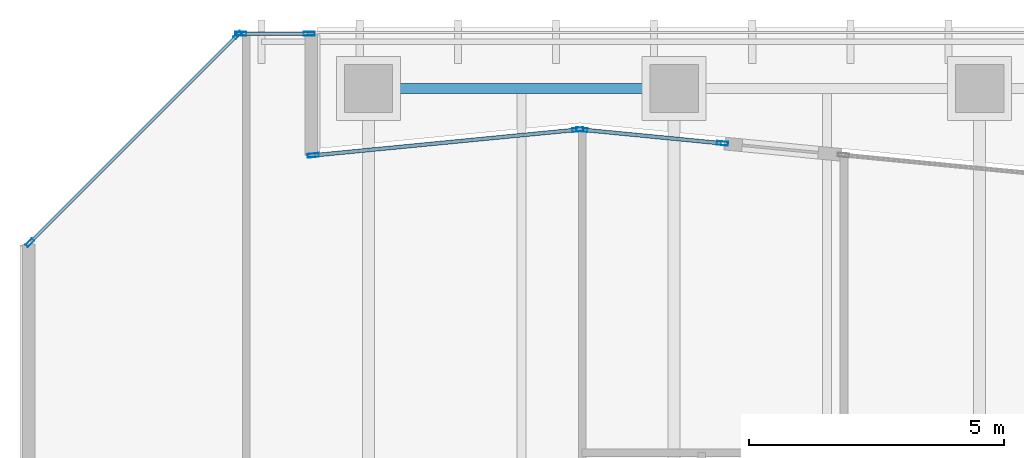
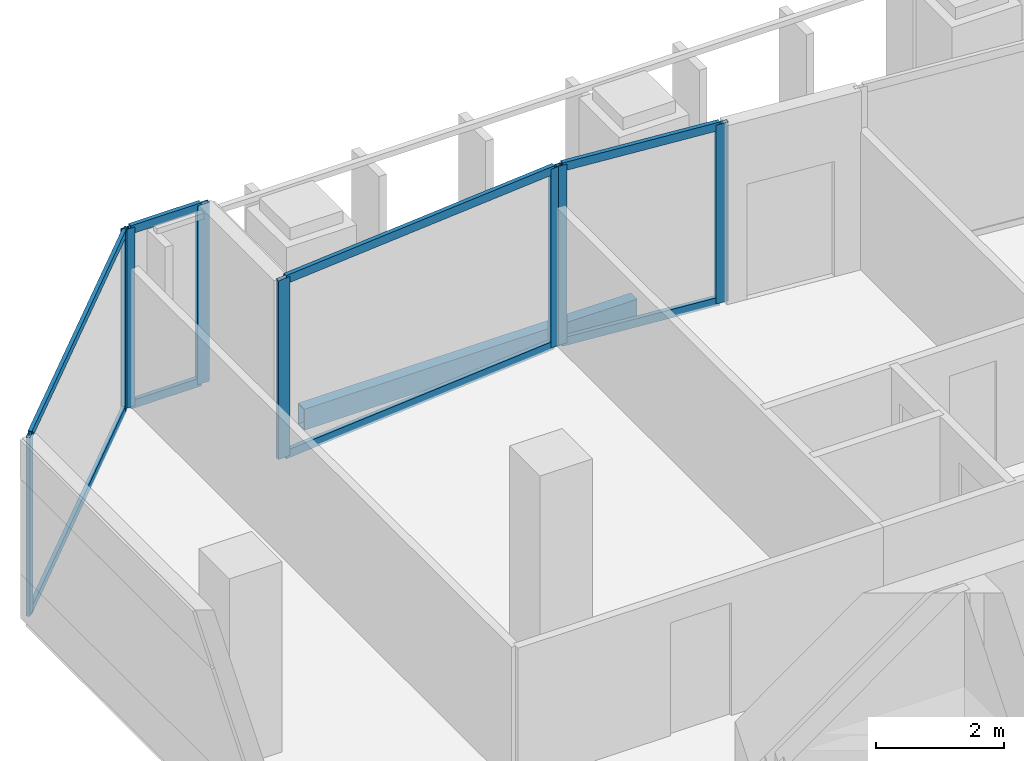
# One storey, part 11 of 39: 16 members, 1 beam, 4 elements without a shape of their own.
"""IFC4 building model written with IfcOpenShell, lengths in metres."""

from ifc_helpers import new_model, si_unit, direction, frame, origin, origin_2d, place, context, subcontext, project, spatial, hollow_rectangle, extrude, material, layer, layer_set, material_profile, profile_set, type_object, element, aggregate, save


model = new_model("IFC4")

# Units and contexts
model_context = context("Model", 3, precision=1e-05, world=origin(), true_north=direction((0.0, 1.0)))
body_context = subcontext(model_context, "Body", "Model", "MODEL_VIEW")
ifc_project = project(units=[si_unit("LENGTHUNIT", "METRE"), si_unit("AREAUNIT", "SQUARE_METRE"), si_unit("VOLUMEUNIT", "CUBIC_METRE"), si_unit("PLANEANGLEUNIT", "RADIAN"), si_unit("MASSUNIT", "GRAM", prefix="KILO")], contexts=[model_context])

# Site, building, storey
site_placement = place(None, origin())
site = spatial("IfcSite", under=ifc_project, at=site_placement, CompositionType="ELEMENT")
building_placement = place(site_placement, origin())
building = spatial("IfcBuilding", under=site, at=building_placement, Name="Tanjung Sevakor Pilgrim Tower", CompositionType="ELEMENT")
storey_placement = place(building_placement, frame((0.0, 0.0, 108.570068359375)))
storey = spatial("IfcBuildingStorey", under=building, at=storey_placement, Name="L30", CompositionType="ELEMENT", Elevation=108.570068359375)

# Beam
ifc_material_1 = material(Name="Steel S355J2", Category="steel")
ifc_material_profile_1 = material_profile(ifc_material_1, hollow_rectangle(XDim=0.199951171875, YDim=0.39990234375, WallThickness=0.01611328125, at=origin_2d()))
ifc_profile_set_1 = profile_set([ifc_material_profile_1], Name="Steel S355J2")
beam_type = type_object("IfcBeamType", Name="BM-B-SP2-RHS_400x200x16", PredefinedType="SPANDREL", material=ifc_profile_set_1)
beam_placement = place(storey_placement, frame((24.0, 56.39990234375, -0.420166015625), z_axis=(1.0, 0.0, 0.0), x_axis=(0.0, 1.0, 0.0)))
element("IfcBeam", 1, at=beam_placement, inside=storey, type_object=beam_type, Name="L30 Spandrel MAIN N-02", PredefinedType="SPANDREL", context=body_context, shape_type="SweptSolid", body=[
    extrude(hollow_rectangle(XDim=0.199951171875, YDim=0.39990234375, WallThickness=0.01611328125, at=origin_2d()), origin(), (0.0, 0.0, 1.0), 6.0),
])

# Curtain wall, members
ifc_material_2 = material(Name="Aluminium 6063-T6 and Low-E Glass", Category="aluminium")
ifc_layer_1 = layer(ifc_material_2, 0.179931640625)
ifc_layer_set_1 = layer_set([ifc_layer_1], Name="CW-SYS-CHAM")
curtain_wall_type_1 = type_object("IfcCurtainWallType", Name="CW-SYS-CHAM", PredefinedType="NOTDEFINED", material=ifc_layer_set_1)
curtain_wall_1_placement = place(storey_placement, origin())
curtain_wall_1 = element("IfcCurtainWall", 2, at=curtain_wall_1_placement, inside=storey, type_object=curtain_wall_type_1, Name="L30 Curtain Wall CW-CHM-L30-MAIN-33", PredefinedType="NOTDEFINED")
ifc_material_3 = material(Name="Aluminium 6063-T6", Category="aluminium")
ifc_material_profile_2 = material_profile(ifc_material_3, hollow_rectangle(XDim=0.06494140625, YDim=0.179931640625, WallThickness=0.00390625, at=origin_2d()))
ifc_profile_set_2 = profile_set([ifc_material_profile_2], Name="Aluminium 6063-T6")
member_type_1 = type_object("IfcMemberType", Name="TYPE-CWM-1", PredefinedType="MULLION", material=ifc_profile_set_2)
member_1_placement = place(storey_placement, frame((21.4287109375, 57.451904296875, 0.0), z_axis=(0.0, 0.0, 1.0), x_axis=(0.707106781187, -0.707106781187, 0.0)))
member_1 = element("IfcMember", 3, at=member_1_placement, type_object=member_type_1, Name="CW-CHM mullion 1", PredefinedType="MULLION", context=body_context, shape_type="SweptSolid", body=[
    extrude(hollow_rectangle(XDim=0.06494140625, YDim=0.179931640625, WallThickness=0.00390625, at=origin_2d()), origin(), (0.0, 0.0, 1.0), 3.409912109375),
])
member_2_placement = place(storey_placement, frame((17.347900390625, 53.37109375, 0.0), z_axis=(0.0, 0.0, 1.0), x_axis=(0.707106781187, -0.707106781187, 0.0)))
member_2 = element("IfcMember", 4, at=member_2_placement, type_object=member_type_1, Name="CW-CHM mullion 2", PredefinedType="MULLION", context=body_context, shape_type="SweptSolid", body=[
    extrude(hollow_rectangle(XDim=0.06494140625, YDim=0.179931640625, WallThickness=0.00390625, at=origin_2d()), origin(), (0.0, 0.0, 1.0), 3.409912109375),
])

ifc_material_4 = material(Name="Aluminium 6063-T6 and Low-E Glass", Category="aluminium")
ifc_layer_2 = layer(ifc_material_4, 0.199951171875)
ifc_layer_set_2 = layer_set([ifc_layer_2], Name="CW-SYS-PRAY")
curtain_wall_type_2 = type_object("IfcCurtainWallType", Name="CW-SYS-PRAY", PredefinedType="NOTDEFINED", material=ifc_layer_set_2)
curtain_wall_2_placement = place(storey_placement, origin())
curtain_wall_2 = element("IfcCurtainWall", 5, at=curtain_wall_2_placement, inside=storey, type_object=curtain_wall_type_2, Name="L30 Curtain Wall CW-PRY-L30-29B", PredefinedType="NOTDEFINED")
ifc_material_5 = material(Name="Aluminium 6063-T6", Category="aluminium")
ifc_material_profile_3 = material_profile(ifc_material_5, hollow_rectangle(XDim=0.074951171875, YDim=0.219970703125, WallThickness=0.0048828125, at=origin_2d()))
ifc_profile_set_3 = profile_set([ifc_material_profile_3], Name="Aluminium 6063-T6")
member_type_2 = type_object("IfcMemberType", Name="TYPE-CWM-2", PredefinedType="MULLION", material=ifc_profile_set_3)
member_3_placement = place(storey_placement, frame((30.951416015625, 55.322509765625, 0.0), z_axis=(0.0, 0.0, 1.0), x_axis=(-0.096632342925, -0.995320144627, 0.0)))
member_3 = element("IfcMember", 6, at=member_3_placement, type_object=member_type_2, Name="CW-PRY mullion 1", PredefinedType="MULLION", context=body_context, shape_type="SweptSolid", body=[
    extrude(hollow_rectangle(XDim=0.074951171875, YDim=0.219970703125, WallThickness=0.0048828125, at=origin_2d()), origin(), (0.0, 0.0, 1.0), 3.409912109375),
])
member_4_placement = place(storey_placement, frame((28.187255859375, 55.5908203125, 0.0), z_axis=(0.0, 0.0, 1.0), x_axis=(-0.096632342925, -0.995320144627, 0.0)))
member_4 = element("IfcMember", 7, at=member_4_placement, type_object=member_type_2, Name="CW-PRY mullion 2", PredefinedType="MULLION", context=body_context, shape_type="SweptSolid", body=[
    extrude(hollow_rectangle(XDim=0.074951171875, YDim=0.219970703125, WallThickness=0.0048828125, at=origin_2d()), origin(), (0.0, 0.0, 1.0), 3.409912109375),
])

curtain_wall_3_placement = place(storey_placement, origin())
curtain_wall_3 = element("IfcCurtainWall", 8, at=curtain_wall_3_placement, inside=storey, type_object=curtain_wall_type_2, Name="L30 Curtain Wall CW-PRY-L30-30", PredefinedType="NOTDEFINED")
member_5_placement = place(storey_placement, frame((28.11279296875, 55.5908203125, 0.0), z_axis=(0.0, 0.0, 1.0), x_axis=(0.096626302622, -0.995320731042, 0.0)))
member_5 = element("IfcMember", 9, at=member_5_placement, type_object=member_type_2, Name="CW-PRY mullion 1", PredefinedType="MULLION", context=body_context, shape_type="SweptSolid", body=[
    extrude(hollow_rectangle(XDim=0.074951171875, YDim=0.219970703125, WallThickness=0.0048828125, at=origin_2d()), origin(), (0.0, 0.0, 1.0), 3.409912109375),
])
member_6_placement = place(storey_placement, frame((22.912353515625, 55.0859375, 0.0), z_axis=(0.0, 0.0, 1.0), x_axis=(0.096626302622, -0.995320731042, 0.0)))
member_6 = element("IfcMember", 10, at=member_6_placement, type_object=member_type_2, Name="CW-PRY mullion 2", PredefinedType="MULLION", context=body_context, shape_type="SweptSolid", body=[
    extrude(hollow_rectangle(XDim=0.074951171875, YDim=0.219970703125, WallThickness=0.0048828125, at=origin_2d()), origin(), (0.0, 0.0, 1.0), 3.409912109375),
])

curtain_wall_4_placement = place(storey_placement, origin())
curtain_wall_4 = element("IfcCurtainWall", 11, at=curtain_wall_4_placement, inside=storey, type_object=curtain_wall_type_2, Name="L30 Curtain Wall CW-PRY-L30-32", PredefinedType="NOTDEFINED")
member_7_placement = place(storey_placement, frame((22.83740234375, 57.47509765625, 0.0), z_axis=(0.0, 0.0, 1.0), x_axis=(0.0, -1.0, 0.0)))
member_7 = element("IfcMember", 12, at=member_7_placement, type_object=member_type_2, Name="CW-PRY mullion 1", PredefinedType="MULLION", context=body_context, shape_type="SweptSolid", body=[
    extrude(hollow_rectangle(XDim=0.074951171875, YDim=0.219970703125, WallThickness=0.0048828125, at=origin_2d()), origin(), (0.0, 0.0, 1.0), 3.409912109375),
])
member_8_placement = place(storey_placement, frame((21.4892578125, 57.47509765625, 0.0), z_axis=(0.0, 0.0, 1.0), x_axis=(0.0, -1.0, 0.0)))
member_8 = element("IfcMember", 13, at=member_8_placement, type_object=member_type_2, Name="CW-PRY mullion 2", PredefinedType="MULLION", context=body_context, shape_type="SweptSolid", body=[
    extrude(hollow_rectangle(XDim=0.074951171875, YDim=0.219970703125, WallThickness=0.0048828125, at=origin_2d()), origin(), (0.0, 0.0, 1.0), 3.409912109375),
])

# Member
ifc_material_6 = material(Name="Aluminium 6063-T6", Category="aluminium")
ifc_material_profile_4 = material_profile(ifc_material_6, hollow_rectangle(XDim=0.06494140625, YDim=0.139892578125, WallThickness=0.00390625, at=origin_2d()))
ifc_profile_set_4 = profile_set([ifc_material_profile_4], Name="Aluminium 6063-T6")
member_type_3 = type_object("IfcMemberType", Name="TYPE-CWT-1", PredefinedType="USERDEFINED", material=ifc_profile_set_4)
member_9_placement = place(storey_placement, frame((21.40576171875, 57.428955078125, 0.032470703125), z_axis=(-0.707106781187, -0.707106781187, 0.0), x_axis=(0.707106781187, -0.707106781187, 0.0)))
member_9 = element("IfcMember", 14, at=member_9_placement, type_object=member_type_3, Name="CW-CHM transom 1.1", ObjectType="TRANSOM", PredefinedType="USERDEFINED", context=body_context, shape_type="SweptSolid", body=[
    extrude(hollow_rectangle(XDim=0.06494140625, YDim=0.139892578125, WallThickness=0.00390625, at=origin_2d()), origin(), (0.0, 0.0, 1.0), 5.706298828125),
])

member_10_placement = place(storey_placement, frame((21.40576171875, 57.428955078125, 3.37744140625), z_axis=(-0.707106781187, -0.707106781187, 0.0), x_axis=(0.707106781187, -0.707106781187, 0.0)))
member_10 = element("IfcMember", 15, at=member_10_placement, type_object=member_type_3, Name="CW-CHM transom 1.2", ObjectType="TRANSOM", PredefinedType="USERDEFINED", context=body_context, shape_type="SweptSolid", body=[
    extrude(hollow_rectangle(XDim=0.06494140625, YDim=0.139892578125, WallThickness=0.00390625, at=origin_2d()), origin(), (0.0, 0.0, 1.0), 5.706298828125),
])

aggregate(curtain_wall_1, [member_1, member_2, member_9, member_10])

ifc_material_7 = material(Name="Aluminium 6063-T6", Category="aluminium")
ifc_material_profile_5 = material_profile(ifc_material_7, hollow_rectangle(XDim=0.074951171875, YDim=0.159912109375, WallThickness=0.00439453125, at=origin_2d()))
ifc_profile_set_5 = profile_set([ifc_material_profile_5], Name="Aluminium 6063-T6")
member_type_4 = type_object("IfcMemberType", Name="TYPE-CWT-2", PredefinedType="USERDEFINED", material=ifc_profile_set_5)
member_11_placement = place(storey_placement, frame((30.9140625, 55.325927734375, 0.037353515625), z_axis=(-0.995315859696, 0.096676467854, 0.0), x_axis=(-0.096676467854, -0.995315859696, 0.0)))
member_11 = element("IfcMember", 16, at=member_11_placement, type_object=member_type_4, Name="CW-PRY transom 1.1", ObjectType="TRANSOM", PredefinedType="USERDEFINED", context=body_context, shape_type="SweptSolid", body=[
    extrude(hollow_rectangle(XDim=0.074951171875, YDim=0.159912109375, WallThickness=0.00439453125, at=origin_2d()), origin(), (0.0, 0.0, 1.0), 2.7021484375),
])

member_12_placement = place(storey_placement, frame((30.9140625, 55.325927734375, 3.372314453125), z_axis=(-0.995315859696, 0.096676467854, 0.0), x_axis=(-0.096676467854, -0.995315859696, 0.0)))
member_12 = element("IfcMember", 17, at=member_12_placement, type_object=member_type_4, Name="CW-PRY transom 1.2", ObjectType="TRANSOM", PredefinedType="USERDEFINED", context=body_context, shape_type="SweptSolid", body=[
    extrude(hollow_rectangle(XDim=0.074951171875, YDim=0.159912109375, WallThickness=0.00439453125, at=origin_2d()), origin(), (0.0, 0.0, 1.0), 2.7021484375),
])

aggregate(curtain_wall_2, [member_3, member_4, member_11, member_12])

member_13_placement = place(storey_placement, frame((28.075439453125, 55.587158203125, 0.037353515625), z_axis=(-0.99532167269, -0.096616602474, 0.0), x_axis=(0.096616602474, -0.99532167269, 0.0)))
member_13 = element("IfcMember", 18, at=member_13_placement, type_object=member_type_4, Name="CW-PRY transom 1.1", ObjectType="TRANSOM", PredefinedType="USERDEFINED", context=body_context, shape_type="SweptSolid", body=[
    extrude(hollow_rectangle(XDim=0.074951171875, YDim=0.159912109375, WallThickness=0.00439453125, at=origin_2d()), origin(), (0.0, 0.0, 1.0), 5.14990234375),
])

member_14_placement = place(storey_placement, frame((28.075439453125, 55.587158203125, 3.372314453125), z_axis=(-0.99532167269, -0.096616602474, 0.0), x_axis=(0.096616602474, -0.99532167269, 0.0)))
member_14 = element("IfcMember", 19, at=member_14_placement, type_object=member_type_4, Name="CW-PRY transom 1.2", ObjectType="TRANSOM", PredefinedType="USERDEFINED", context=body_context, shape_type="SweptSolid", body=[
    extrude(hollow_rectangle(XDim=0.074951171875, YDim=0.159912109375, WallThickness=0.00439453125, at=origin_2d()), origin(), (0.0, 0.0, 1.0), 5.14990234375),
])

aggregate(curtain_wall_3, [member_5, member_6, member_13, member_14])

member_15_placement = place(storey_placement, frame((22.800048828125, 57.47509765625, 0.037353515625), z_axis=(-1.0, 0.0, 0.0), x_axis=(0.0, -1.0, 0.0)))
member_15 = element("IfcMember", 20, at=member_15_placement, type_object=member_type_4, Name="CW-PRY transom 1.1", ObjectType="TRANSOM", PredefinedType="USERDEFINED", context=body_context, shape_type="SweptSolid", body=[
    extrude(hollow_rectangle(XDim=0.074951171875, YDim=0.159912109375, WallThickness=0.00439453125, at=origin_2d()), origin(), (0.0, 0.0, 1.0), 1.273193359375),
])

member_16_placement = place(storey_placement, frame((22.800048828125, 57.47509765625, 3.372314453125), z_axis=(-1.0, 0.0, 0.0), x_axis=(0.0, -1.0, 0.0)))
member_16 = element("IfcMember", 21, at=member_16_placement, type_object=member_type_4, Name="CW-PRY transom 1.2", ObjectType="TRANSOM", PredefinedType="USERDEFINED", context=body_context, shape_type="SweptSolid", body=[
    extrude(hollow_rectangle(XDim=0.074951171875, YDim=0.159912109375, WallThickness=0.00439453125, at=origin_2d()), origin(), (0.0, 0.0, 1.0), 1.273193359375),
])

aggregate(curtain_wall_4, [member_7, member_8, member_15, member_16])

save(model, "model.ifc")
